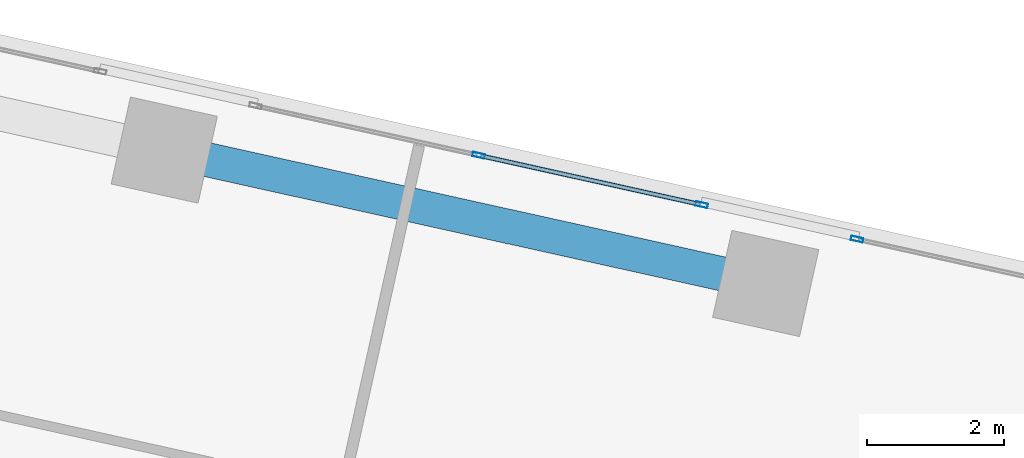
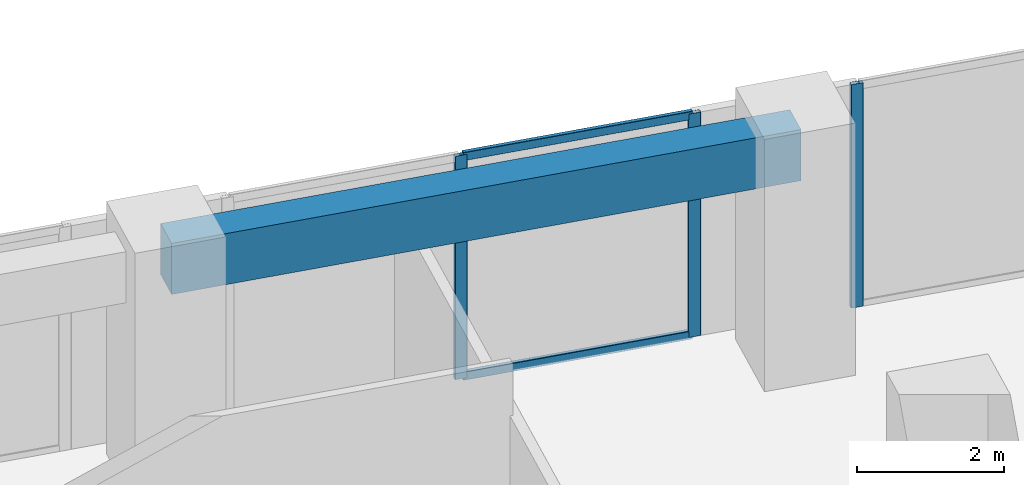
# One storey, part 18 of 25: 5 members, 1 beam, 2 elements without a shape of their own.
"""IFC4 building model written with IfcOpenShell, lengths in metres."""

from ifc_helpers import new_model, si_unit, direction, frame, origin, origin_2d, place, context, subcontext, project, spatial, rectangle, hollow_rectangle, extrude, source, transform, mapped, material, material_profile, profile_set, type_object, element, aggregate, save


model = new_model("IFC4")

# Units and contexts
model_context = context("Model", 3, precision=1e-05, world=origin(), true_north=direction((0.0, 1.0)))
body_context = subcontext(model_context, "Body", "Model", "MODEL_VIEW")
ifc_project = project(units=[si_unit("LENGTHUNIT", "METRE"), si_unit("AREAUNIT", "SQUARE_METRE"), si_unit("VOLUMEUNIT", "CUBIC_METRE"), si_unit("PLANEANGLEUNIT", "RADIAN"), si_unit("MASSUNIT", "GRAM", prefix="KILO")], contexts=[model_context])

# Site, building, storey
site_placement = place(None, origin())
site = spatial("IfcSite", under=ifc_project, at=site_placement, CompositionType="ELEMENT")
building_placement = place(site_placement, origin())
building = spatial("IfcBuilding", under=site, at=building_placement, Name="Torre Montelarca", CompositionType="ELEMENT")
storey_placement = place(building_placement, frame((0.0, 0.0, 87.39990234375)))
storey = spatial("IfcBuildingStorey", under=building, at=storey_placement, Name="L19", CompositionType="ELEMENT", Elevation=87.39990234375)

# Beam
ifc_material_1 = material(Name="Concrete C55/67", Category="concrete")
ifc_material_profile_1 = material_profile(ifc_material_1, rectangle(XDim=0.5, YDim=0.85009765625, at=origin_2d()), Name="RCB500X850", Category="concrete")
ifc_profile_set_1 = profile_set([ifc_material_profile_1], Name="Concrete C55/67")
beam_type = type_object("IfcBeamType", Name="BM-SP-RC850-EXT", PredefinedType="SPANDREL", material=ifc_profile_set_1)
shared_shape_1 = source(origin(), body_context, "Body", "SweptSolid", [
    extrude(rectangle(XDim=0.5, YDim=0.85009765625, at=origin_2d()), origin(), (0.0, 0.0, 1.0), 9.0),
])
beam_placement = place(storey_placement, frame((30.148681640625, 45.6005859375, 3.53515625), z_axis=(0.976294808562, -0.216445020214, 0.0), x_axis=(0.216445020214, 0.976294808562, 0.0)))
element("IfcBeam", 1, at=beam_placement, inside=storey, type_object=beam_type, Name="L19 Grid Girder X 27.0-36.0 at Y=47.1", PredefinedType="SPANDREL", context=body_context, shape_type="MappedRepresentation", body=[
    mapped(shared_shape_1, transform((0.0, 0.0, 0.0), scale=1.0)),
])

# Curtain wall, members
ifc_material_2 = material(Name="Insulated low-E laminated glass", Category="glass")
curtain_wall_type = type_object("IfcCurtainWallType", Name="CW-SYS-Z1", PredefinedType="USERDEFINED", material=ifc_material_2)
curtain_wall_1_placement = place(storey_placement, origin())
curtain_wall_1 = element("IfcCurtainWall", 2, at=curtain_wall_1_placement, inside=storey, type_object=curtain_wall_type, Name="L19 Curtain Wall Run CW-T3-L19-E08-B2", ObjectType="UNITISED GLAZING", PredefinedType="USERDEFINED")
ifc_material_3 = material(Name="Anodised aluminium AA 6063-T6", Category="aluminium")
ifc_material_profile_2 = material_profile(ifc_material_3, hollow_rectangle(XDim=0.06494140625, YDim=0.139892578125, WallThickness=0.00390625, InnerFilletRadius=0.00390625, OuterFilletRadius=0.008056640625, at=origin_2d()), Name="ALU65X140X4", Category="aluminium")
ifc_profile_set_2 = profile_set([ifc_material_profile_2], Name="Anodised aluminium AA 6063-T6")
member_type_1 = type_object("IfcMemberType", Name="CWT-ALU140", PredefinedType="USERDEFINED", material=ifc_profile_set_2)
shared_shape_2 = source(origin(), body_context, "Body", "SweptSolid", [
    extrude(hollow_rectangle(XDim=0.06494140625, YDim=0.139892578125, WallThickness=0.00390625, InnerFilletRadius=0.00390625, OuterFilletRadius=0.008056640625, at=origin_2d()), origin(), (0.0, 0.0, 1.0), 3.2724609375),
])
member_1_placement = place(storey_placement, frame((37.9677734375, 44.809326171875, 0.03271484375), z_axis=(-0.976297526136, 0.216432761984, 0.0), x_axis=(-0.216432761984, -0.976297526136, 0.0)))
member_1 = element("IfcMember", 3, at=member_1_placement, type_object=member_type_1, Name="CW transom 1.1", ObjectType="TRANSOM", PredefinedType="USERDEFINED", context=body_context, shape_type="MappedRepresentation", body=[
    mapped(shared_shape_2, transform((0.0, 0.0, 0.0), scale=1.0)),
])
member_2_placement = place(storey_placement, frame((37.9677734375, 44.809326171875, 3.6875), z_axis=(-0.976297526136, 0.216432761984, 0.0), x_axis=(-0.216432761984, -0.976297526136, 0.0)))
member_2 = element("IfcMember", 4, at=member_2_placement, type_object=member_type_1, Name="CW transom 1.2", ObjectType="TRANSOM", PredefinedType="USERDEFINED", context=body_context, shape_type="MappedRepresentation", body=[
    mapped(shared_shape_2, transform((0.0, 0.0, 0.0), scale=1.0)),
])

# Curtain wall, member
curtain_wall_2_placement = place(storey_placement, origin())
curtain_wall_2 = element("IfcCurtainWall", 5, at=curtain_wall_2_placement, inside=storey, type_object=curtain_wall_type, Name="L19 Curtain Wall Run CW-T3-L19-E08-B1", ObjectType="UNITISED GLAZING", PredefinedType="USERDEFINED")
ifc_material_profile_3 = material_profile(ifc_material_3, hollow_rectangle(XDim=0.06494140625, YDim=0.179931640625, WallThickness=0.00390625, InnerFilletRadius=0.00390625, OuterFilletRadius=0.008056640625, at=origin_2d()), Name="ALU65X180X4", Category="aluminium")
ifc_profile_set_3 = profile_set([ifc_material_profile_3], Name="Anodised aluminium AA 6063-T6")
member_type_2 = type_object("IfcMemberType", Name="CWM-ALU180", PredefinedType="MULLION", material=ifc_profile_set_3)
shared_shape_3 = source(origin(), body_context, "Body", "SweptSolid", [
    extrude(hollow_rectangle(XDim=0.06494140625, YDim=0.179931640625, WallThickness=0.00390625, InnerFilletRadius=0.00390625, OuterFilletRadius=0.008056640625, at=origin_2d()), origin(), (0.0, 0.0, 1.0), 3.72021484375),
])
member_3_placement = place(storey_placement, frame((40.26953125, 44.299072265625, 0.0), z_axis=(0.0, 0.0, 1.0), x_axis=(-0.216443272368, -0.976295196058, 0.0)))
member_3 = element("IfcMember", 6, at=member_3_placement, type_object=member_type_2, Name="CW mullion 3", PredefinedType="MULLION", context=body_context, shape_type="MappedRepresentation", body=[
    mapped(shared_shape_3, transform((0.0, 0.0, 0.0), scale=1.0)),
])
aggregate(curtain_wall_2, [member_3])

# Member
member_4_placement = place(storey_placement, frame((37.99951171875, 44.80224609375, 0.0), z_axis=(0.0, 0.0, 1.0), x_axis=(-0.216437154905, -0.976296552271, 0.0)))
member_4 = element("IfcMember", 7, at=member_4_placement, type_object=member_type_2, Name="CW mullion 1", PredefinedType="MULLION", context=body_context, shape_type="MappedRepresentation", body=[
    mapped(shared_shape_3, transform((0.0, 0.0, 0.0), scale=1.0)),
])

member_5_placement = place(storey_placement, frame((34.7412109375, 45.524658203125, 0.0), z_axis=(0.0, 0.0, 1.0), x_axis=(-0.216437154905, -0.976296552271, 0.0)))
member_5 = element("IfcMember", 8, at=member_5_placement, type_object=member_type_2, Name="CW mullion 2", PredefinedType="MULLION", context=body_context, shape_type="MappedRepresentation", body=[
    mapped(shared_shape_3, transform((0.0, 0.0, 0.0), scale=1.0)),
])

aggregate(curtain_wall_1, [member_4, member_5, member_1, member_2])

save(model, "model.ifc")
